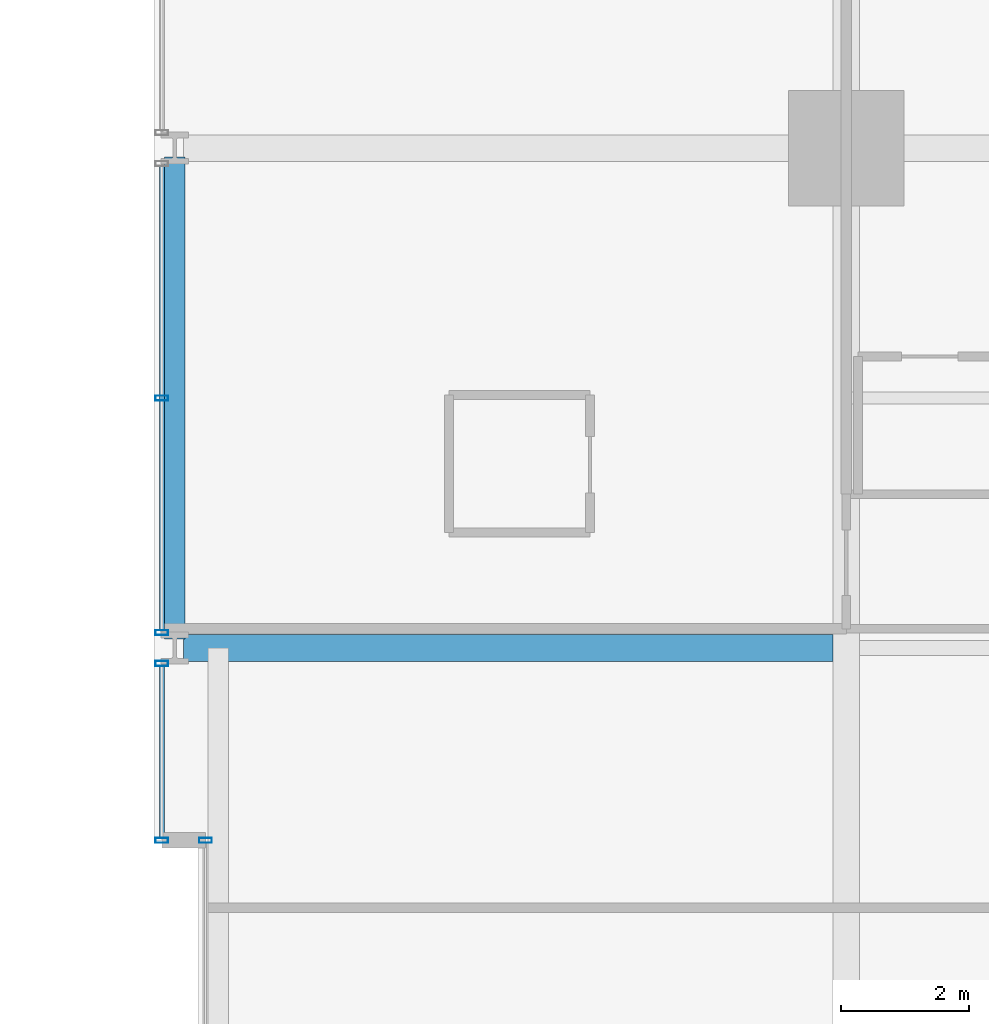
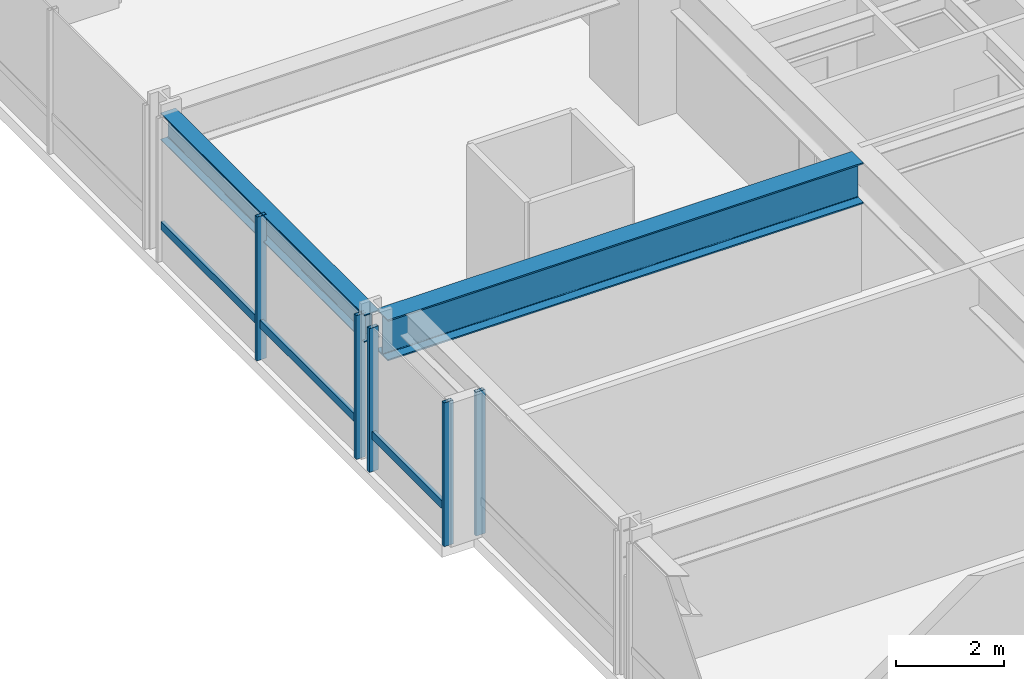
# One storey, part 17 of 39: 7 members, 2 beams, 3 elements without a shape of their own.
"""IFC4 building model written with IfcOpenShell, lengths in metres."""

from ifc_helpers import new_model, si_unit, direction, frame, origin, origin_2d, place, context, subcontext, project, spatial, hollow_rectangle, i_section, extrude, material, layer, layer_set, material_profile, profile_set, type_object, element, aggregate, save


model = new_model("IFC4")

# Units and contexts
model_context = context("Model", 3, precision=1e-05, world=origin(), true_north=direction((0.0, 1.0)))
body_context = subcontext(model_context, "Body", "Model", "MODEL_VIEW")
ifc_project = project(units=[si_unit("LENGTHUNIT", "METRE"), si_unit("AREAUNIT", "SQUARE_METRE"), si_unit("VOLUMEUNIT", "CUBIC_METRE"), si_unit("PLANEANGLEUNIT", "RADIAN"), si_unit("MASSUNIT", "GRAM", prefix="KILO")], contexts=[model_context])

# Site, building, storey
site_placement = place(None, origin())
site = spatial("IfcSite", under=ifc_project, at=site_placement, CompositionType="ELEMENT")
building_placement = place(site_placement, origin())
building = spatial("IfcBuilding", under=site, at=building_placement, Name="Drelvath Grand Hotel", CompositionType="ELEMENT")
storey_placement = place(building_placement, frame((0.0, 0.0, 40.199951171875)))
storey = spatial("IfcBuildingStorey", under=building, at=storey_placement, Name="L08", CompositionType="ELEMENT", Elevation=40.199951171875)

# Curtain wall, member
ifc_material_1 = material(Name="Warm Bronze Anodised Aluminium Frame", Category="aluminium")
ifc_layer = layer(ifc_material_1, 0.199951171875)
ifc_layer_set = layer_set([ifc_layer], Name="Warm Bronze Anodised Aluminium Frame")
curtain_wall_type = type_object("IfcCurtainWallType", Name="Stick Curtain Wall CW-02 Warm Bronze Low-Rise", PredefinedType="NOTDEFINED", material=ifc_layer_set)
curtain_wall_1_placement = place(storey_placement, origin())
curtain_wall_1 = element("IfcCurtainWall", 1, at=curtain_wall_1_placement, inside=storey, type_object=curtain_wall_type, Name="L08 CW-02 Curtain Wall CW02-L08-WN1", PredefinedType="NOTDEFINED")
ifc_material_profile_1 = material_profile(ifc_material_1, hollow_rectangle(XDim=0.074951171875, YDim=0.179931640625, WallThickness=0.0048828125, at=origin_2d()), Name="HSS180X75X5")
ifc_profile_set_1 = profile_set([ifc_material_profile_1], Name="Warm Bronze Anodised Aluminium Frame")
member_type_1 = type_object("IfcMemberType", Name="Curtain Wall Horizontal Transom CW-02 HSS180X75X5", PredefinedType="USERDEFINED", material=ifc_profile_set_1)
member_1_placement = place(storey_placement, frame((-26.8798828125, 32.43994140625, 0.81005859375), z_axis=(0.0, 1.0, 0.0), x_axis=(-1.0, 0.0, 0.0)))
member_1 = element("IfcMember", 2, at=member_1_placement, type_object=member_type_1, Name="CW02-L08-WN1 Sill Transom", ObjectType="TRANSOM", PredefinedType="USERDEFINED", context=body_context, shape_type="SweptSolid", body=[
    extrude(hollow_rectangle(XDim=0.074951171875, YDim=0.179931640625, WallThickness=0.0048828125, at=origin_2d()), origin(), (0.0, 0.0, 1.0), 2.67919921875),
])

curtain_wall_2_placement = place(storey_placement, origin())
curtain_wall_2 = element("IfcCurtainWall", 3, at=curtain_wall_2_placement, inside=storey, type_object=curtain_wall_type, Name="L08 CW-02 Curtain Wall CW02-L08-WN2", PredefinedType="NOTDEFINED")
member_2_placement = place(storey_placement, frame((-26.8798828125, 35.680908203125, 0.81005859375), z_axis=(0.0, 1.0, 0.0), x_axis=(-1.0, 0.0, 0.0)))
member_2 = element("IfcMember", 4, at=member_2_placement, type_object=member_type_1, Name="CW02-L08-WN2 Sill Transom", ObjectType="TRANSOM", PredefinedType="USERDEFINED", context=body_context, shape_type="SweptSolid", body=[
    extrude(hollow_rectangle(XDim=0.074951171875, YDim=0.179931640625, WallThickness=0.0048828125, at=origin_2d()), origin(), (0.0, 0.0, 1.0), 7.23828125),
])

curtain_wall_3_placement = place(storey_placement, origin())
curtain_wall_3 = element("IfcCurtainWall", 5, at=curtain_wall_3_placement, inside=storey, type_object=curtain_wall_type, Name="L08 CW-02 Curtain Wall CW02-L08-WM2", PredefinedType="NOTDEFINED")
ifc_material_profile_2 = material_profile(ifc_material_1, hollow_rectangle(XDim=0.080078125, YDim=0.199951171875, WallThickness=0.0048828125, at=origin_2d()), Name="HSS200X80X5")
ifc_profile_set_2 = profile_set([ifc_material_profile_2], Name="Warm Bronze Anodised Aluminium Frame")
member_type_2 = type_object("IfcMemberType", Name="Curtain Wall Vertical Mullion CW-02 HSS200X80X5", PredefinedType="MULLION", material=ifc_profile_set_2)
member_3_placement = place(storey_placement, frame((-26.199951171875, 32.39990234375, 0.0), z_axis=(0.0, 0.0, 1.0), x_axis=(0.0, 1.0, 0.0)))
member_3 = element("IfcMember", 6, at=member_3_placement, type_object=member_type_2, Name="CW02-L08-WM2 Mullion 2", PredefinedType="MULLION", context=body_context, shape_type="SweptSolid", body=[
    extrude(hollow_rectangle(XDim=0.080078125, YDim=0.199951171875, WallThickness=0.0048828125, at=origin_2d()), origin(), (0.0, 0.0, 1.0), 3.239990234375),
])
aggregate(curtain_wall_3, [member_3])

# Member
member_4_placement = place(storey_placement, frame((-26.8798828125, 32.39990234375, 0.0), z_axis=(0.0, 0.0, 1.0), x_axis=(0.0, 1.0, 0.0)))
member_4 = element("IfcMember", 7, at=member_4_placement, type_object=member_type_2, Name="CW02-L08-WN1 Mullion 1", PredefinedType="MULLION", context=body_context, shape_type="SweptSolid", body=[
    extrude(hollow_rectangle(XDim=0.080078125, YDim=0.199951171875, WallThickness=0.0048828125, at=origin_2d()), origin(), (0.0, 0.0, 1.0), 3.239990234375),
])

member_5_placement = place(storey_placement, frame((-26.8798828125, 35.1591796875, 0.0), z_axis=(0.0, 0.0, 1.0), x_axis=(0.0, 1.0, 0.0)))
member_5 = element("IfcMember", 8, at=member_5_placement, type_object=member_type_2, Name="CW02-L08-WN1 Mullion 2", PredefinedType="MULLION", context=body_context, shape_type="SweptSolid", body=[
    extrude(hollow_rectangle(XDim=0.080078125, YDim=0.199951171875, WallThickness=0.0048828125, at=origin_2d()), origin(), (0.0, 0.0, 1.0), 3.239990234375),
])

aggregate(curtain_wall_1, [member_4, member_5, member_1])

member_6_placement = place(storey_placement, frame((-26.8798828125, 35.640869140625, 0.0), z_axis=(0.0, 0.0, 1.0), x_axis=(0.0, 1.0, 0.0)))
member_6 = element("IfcMember", 9, at=member_6_placement, type_object=member_type_2, Name="CW02-L08-WN2 Mullion 1", PredefinedType="MULLION", context=body_context, shape_type="SweptSolid", body=[
    extrude(hollow_rectangle(XDim=0.080078125, YDim=0.199951171875, WallThickness=0.0048828125, at=origin_2d()), origin(), (0.0, 0.0, 1.0), 3.239990234375),
])

member_7_placement = place(storey_placement, frame((-26.8798828125, 39.300048828125, 0.0), z_axis=(0.0, 0.0, 1.0), x_axis=(0.0, 1.0, 0.0)))
member_7 = element("IfcMember", 10, at=member_7_placement, type_object=member_type_2, Name="CW02-L08-WN2 Mullion 2", PredefinedType="MULLION", context=body_context, shape_type="SweptSolid", body=[
    extrude(hollow_rectangle(XDim=0.080078125, YDim=0.199951171875, WallThickness=0.0048828125, at=origin_2d()), origin(), (0.0, 0.0, 1.0), 3.239990234375),
])

aggregate(curtain_wall_2, [member_6, member_7, member_2])

# Beams
ifc_material_2 = material(Name="Steel ASTM A992 Gr 50", Category="steel")
ifc_material_profile_3 = material_profile(ifc_material_2, i_section(OverallWidth=0.323974609375, OverallDepth=0.611083984375, WebThickness=0.0126953125, FlangeThickness=0.01904296875, FilletRadius=0.02197265625, at=origin_2d()), Name="W24X104")
ifc_profile_set_3 = profile_set([ifc_material_profile_3], Name="Steel ASTM A992 Gr 50")
beam_type_1 = type_object("IfcBeamType", Name="Perimeter Spandrel Beam W24X104", PredefinedType="SPANDREL", material=ifc_profile_set_3)
beam_1_placement = place(storey_placement, frame((-26.679931640625, 35.5400390625, 2.9345703125), z_axis=(0.0, 1.0, 0.0), x_axis=(-1.0, 0.0, 0.0)))
element("IfcBeam", 11, at=beam_1_placement, inside=storey, type_object=beam_type_1, Name="L08 Spandrel West N", PredefinedType="SPANDREL", context=body_context, shape_type="SweptSolid", body=[
    extrude(i_section(OverallWidth=0.323974609375, OverallDepth=0.611083984375, WebThickness=0.0126953125, FlangeThickness=0.01904296875, FilletRadius=0.02197265625, at=origin_2d()), origin(), (0.0, 0.0, 1.0), 7.52001953125),
])
ifc_material_profile_4 = material_profile(ifc_material_2, i_section(OverallWidth=0.418212890625, OverallDepth=0.926513671875, WebThickness=0.019287109375, FlangeThickness=0.031982421875, FilletRadius=0.028076171875, at=origin_2d()), Name="W36X231")
ifc_profile_set_4 = profile_set([ifc_material_profile_4], Name="Steel ASTM A992 Gr 50")
beam_type_2 = type_object("IfcBeamType", Name="Primary Floor Girder W36X231", PredefinedType="BEAM", material=ifc_profile_set_4)
beam_2_placement = place(storey_placement, frame((-26.5400390625, 35.39990234375, 2.77685546875), z_axis=(1.0, 0.0, 0.0), x_axis=(0.0, 1.0, 0.0)))
element("IfcBeam", 12, at=beam_2_placement, inside=storey, type_object=beam_type_2, Name="L08 West Wing Girder F", PredefinedType="BEAM", context=body_context, shape_type="SweptSolid", body=[
    extrude(i_section(OverallWidth=0.418212890625, OverallDepth=0.926513671875, WebThickness=0.019287109375, FlangeThickness=0.031982421875, FilletRadius=0.028076171875, at=origin_2d()), origin(), (0.0, 0.0, 1.0), 10.130859375),
])

save(model, "model.ifc")
